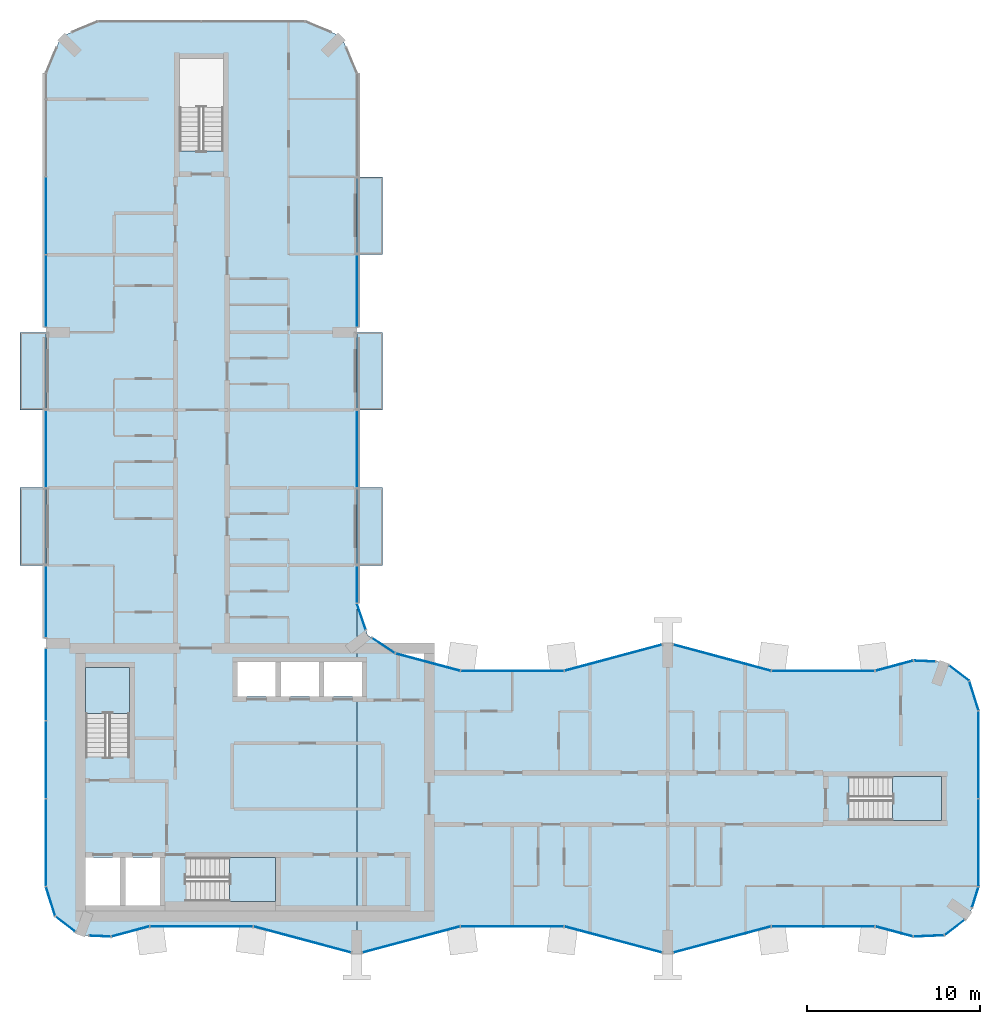
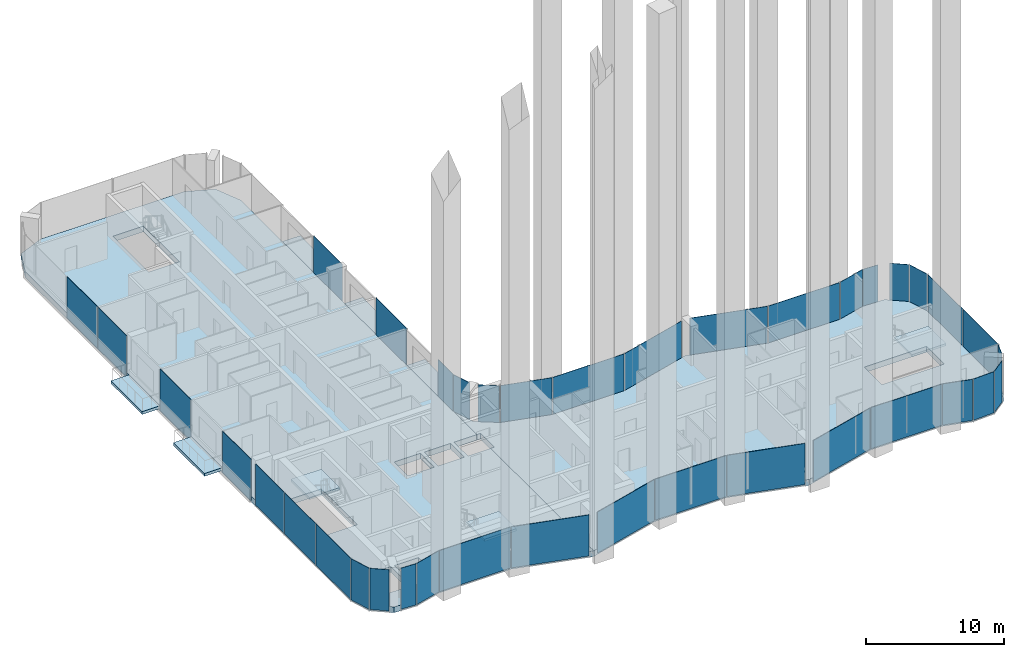
# One storey, part 8 of 18: 38 plates, 10 slabs, 37 elements without a shape of their own.
"""IFC4 building model written with IfcOpenShell, lengths in metres."""

from ifc_helpers import new_model, si_unit, direction, frame, origin, origin_2d, place, context, subcontext, project, spatial, polyline, rectangle, outline, extrude, material, layer, layer_set, type_object, element, aggregate, save


model = new_model("IFC4")

# Units and contexts
model_context = context("Model", 3, precision=1e-05, world=origin(), true_north=direction((0.0, 1.0)))
body_context = subcontext(model_context, "Body", "Model", "MODEL_VIEW")
ifc_project = project(units=[si_unit("LENGTHUNIT", "METRE"), si_unit("AREAUNIT", "SQUARE_METRE"), si_unit("VOLUMEUNIT", "CUBIC_METRE"), si_unit("PLANEANGLEUNIT", "RADIAN"), si_unit("MASSUNIT", "GRAM", prefix="KILO")], contexts=[model_context])

# Site, building, storey
site_placement = place(None, origin())
site = spatial("IfcSite", under=ifc_project, at=site_placement, CompositionType="ELEMENT")
building_placement = place(site_placement, origin())
building = spatial("IfcBuilding", under=site, at=building_placement, Name="Plateau Cross Towers", CompositionType="ELEMENT")
storey_placement = place(building_placement, frame((0.0, 0.0, 139.39990234375)))
storey = spatial("IfcBuildingStorey", under=building, at=storey_placement, Name="L35", CompositionType="ELEMENT", Elevation=139.39990234375)

# Slabs
ifc_material_1 = material(Name="Concrete C40/50", Category="concrete")
ifc_layer_1 = layer(ifc_material_1, 0.25)
ifc_layer_set_1 = layer_set([ifc_layer_1], Name="Concrete C40/50")
slab_type_1 = type_object("IfcSlabType", Name="Balcony slab 250", PredefinedType="FLOOR", material=ifc_layer_set_1)
slab_1_placement = place(storey_placement, frame((0.0, 0.0, -0.25)))
element("IfcSlab", 1, at=slab_1_placement, inside=storey, type_object=slab_type_1, Name="Balcony slab A-BAL-L35-01", PredefinedType="FLOOR", context=body_context, shape_type="SweptSolid", body=[
    extrude(outline(polyline([(0.0, 22.5), (0.0, 27.0), (-1.5, 27.0), (-1.5, 22.5), (0.0, 22.5)])), origin(), (0.0, 0.0, 1.0), 0.25),
])
slab_2_placement = place(storey_placement, frame((0.0, 0.0, -0.25)))
element("IfcSlab", 2, at=slab_2_placement, inside=storey, type_object=slab_type_1, Name="Balcony slab A-BAL-L35-02", PredefinedType="FLOOR", context=body_context, shape_type="SweptSolid", body=[
    extrude(outline(polyline([(0.0, 31.5), (0.0, 36.0), (-1.5, 36.0), (-1.5, 31.5), (0.0, 31.5)])), origin(), (0.0, 0.0, 1.0), 0.25),
])
slab_3_placement = place(storey_placement, frame((0.0, 0.0, -0.25)))
element("IfcSlab", 3, at=slab_3_placement, inside=storey, type_object=slab_type_1, Name="Balcony slab A-BAL-L35-03", PredefinedType="FLOOR", context=body_context, shape_type="SweptSolid", body=[
    extrude(outline(polyline([(19.5, 22.5), (19.5, 27.0), (18.0, 27.0), (18.0, 22.5), (19.5, 22.5)])), origin(), (0.0, 0.0, 1.0), 0.25),
])
slab_4_placement = place(storey_placement, frame((0.0, 0.0, -0.25)))
element("IfcSlab", 4, at=slab_4_placement, inside=storey, type_object=slab_type_1, Name="Balcony slab A-BAL-L35-04", PredefinedType="FLOOR", context=body_context, shape_type="SweptSolid", body=[
    extrude(outline(polyline([(19.5, 31.5), (19.5, 36.0), (18.0, 36.0), (18.0, 31.5), (19.5, 31.5)])), origin(), (0.0, 0.0, 1.0), 0.25),
])
slab_5_placement = place(storey_placement, frame((0.0, 0.0, -0.25)))
element("IfcSlab", 5, at=slab_5_placement, inside=storey, type_object=slab_type_1, Name="Balcony slab A-BAL-L35-05", PredefinedType="FLOOR", context=body_context, shape_type="SweptSolid", body=[
    extrude(outline(polyline([(19.5, 40.5), (19.5, 45.0), (18.0, 45.0), (18.0, 40.5), (19.5, 40.5)])), origin(), (0.0, 0.0, 1.0), 0.25),
])

# Curtain wall, plate
ifc_material_2 = material(Name="Dark low-iron glass", Category="glass")
ifc_layer_2 = layer(ifc_material_2, 0.239990234375)
ifc_layer_set_2 = layer_set([ifc_layer_2], Name="Dark low-iron glass")
curtain_wall_type_1 = type_object("IfcCurtainWallType", Name="Curtain wall flush unitised CW-B", PredefinedType="NOTDEFINED", material=ifc_layer_set_2)
curtain_wall_1_placement = place(storey_placement, origin())
curtain_wall_1 = element("IfcCurtainWall", 6, at=curtain_wall_1_placement, inside=storey, type_object=curtain_wall_type_1, Name="ENV/A/L35/A502_10", PredefinedType="NOTDEFINED")
ifc_layer_3 = layer(ifc_material_2, 0.031982421875)
ifc_layer_set_3 = layer_set([ifc_layer_3], Name="Dark low-iron glass")
plate_type_1 = type_object("IfcPlateType", Name="Glass panel 32 flush unitised", PredefinedType="CURTAIN_PANEL", material=ifc_layer_set_3)
plate_1_placement = place(storey_placement, frame((51.125, 1.05078125, -0.3798828125), z_axis=(0.0, 0.0, 1.0), x_axis=(0.999043701491, 0.043722791671, 0.0)))
plate_1 = element("IfcPlate", 7, at=plate_1_placement, type_object=plate_type_1, Name="CW-B panel 1", PredefinedType="CURTAIN_PANEL", context=body_context, shape_type="SweptSolid", body=[
    extrude(rectangle(XDim=1.744140625, YDim=0.031982421875, at=origin_2d()), origin(), (0.0, 0.0, 1.0), 3.6298828125),
])
aggregate(curtain_wall_1, [plate_1])

curtain_wall_2_placement = place(storey_placement, origin())
curtain_wall_2 = element("IfcCurtainWall", 8, at=curtain_wall_2_placement, inside=storey, type_object=curtain_wall_type_1, Name="ENV/A/L35/A520_11", PredefinedType="NOTDEFINED")
plate_2_placement = place(storey_placement, frame((52.60986328125, 1.5380859375, -0.3798828125), z_axis=(0.0, 0.0, 1.0), x_axis=(0.793315514529, 0.608810721331, 0.0)))
plate_2 = element("IfcPlate", 9, at=plate_2_placement, type_object=plate_type_1, Name="CW-B panel 1", PredefinedType="CURTAIN_PANEL", context=body_context, shape_type="SweptSolid", body=[
    extrude(rectangle(XDim=1.41162109375, YDim=0.031982421875, at=origin_2d()), origin(), (0.0, 0.0, 1.0), 3.6298828125),
])
aggregate(curtain_wall_2, [plate_2])

curtain_wall_3_placement = place(storey_placement, origin())
curtain_wall_3 = element("IfcCurtainWall", 10, at=curtain_wall_3_placement, inside=storey, type_object=curtain_wall_type_1, Name="ENV/A/L35/A536_27", PredefinedType="NOTDEFINED")
plate_3_placement = place(storey_placement, frame((53.805419921875, 3.292236328125, -0.3798828125), z_axis=(0.0, 0.0, 1.0), x_axis=(0.300686174994, 0.95372313811, 0.0)))
plate_3 = element("IfcPlate", 11, at=plate_3_placement, type_object=plate_type_1, Name="CW-B panel 1", PredefinedType="CURTAIN_PANEL", context=body_context, shape_type="SweptSolid", body=[
    extrude(rectangle(XDim=1.233642578125, YDim=0.031982421875, at=origin_2d()), origin(), (0.0, 0.0, 1.0), 3.6298828125),
])
aggregate(curtain_wall_3, [plate_3])

# Curtain wall, plates
curtain_wall_4_placement = place(storey_placement, origin())
curtain_wall_4 = element("IfcCurtainWall", 12, at=curtain_wall_4_placement, inside=storey, type_object=curtain_wall_type_1, Name="ENV/A/L35/A540_39", PredefinedType="NOTDEFINED")
plate_4_placement = place(storey_placement, frame((54.0, 6.45458984375, -0.3798828125), z_axis=(0.0, 0.0, 1.0), x_axis=(0.0, 1.0, 0.0)))
plate_4 = element("IfcPlate", 13, at=plate_4_placement, type_object=plate_type_1, Name="CW-B panel 1", PredefinedType="CURTAIN_PANEL", context=body_context, shape_type="SweptSolid", body=[
    extrude(rectangle(XDim=5.03076171875, YDim=0.031982421875, at=origin_2d()), origin(), (0.0, 0.0, 1.0), 3.6298828125),
])
plate_5_placement = place(storey_placement, frame((54.0, 11.54541015625, -0.3798828125), z_axis=(0.0, 0.0, 1.0), x_axis=(0.0, 1.0, 0.0)))
plate_5 = element("IfcPlate", 14, at=plate_5_placement, type_object=plate_type_1, Name="CW-B panel 2", PredefinedType="CURTAIN_PANEL", context=body_context, shape_type="SweptSolid", body=[
    extrude(rectangle(XDim=5.03076171875, YDim=0.031982421875, at=origin_2d()), origin(), (0.0, 0.0, 1.0), 3.6298828125),
])
aggregate(curtain_wall_4, [plate_4, plate_5])

# Curtain wall, plate
curtain_wall_5_placement = place(storey_placement, origin())
curtain_wall_5 = element("IfcCurtainWall", 15, at=curtain_wall_5_placement, inside=storey, type_object=curtain_wall_type_1, Name="ENV/A/L35/A540_141", PredefinedType="NOTDEFINED")
plate_6_placement = place(storey_placement, frame((53.728759765625, 14.951171875, -0.3798828125), z_axis=(0.0, 0.0, 1.0), x_axis=(-0.300686174994, 0.95372313811, 0.0)))
plate_6 = element("IfcPlate", 16, at=plate_6_placement, type_object=plate_type_1, Name="CW-B panel 1", PredefinedType="CURTAIN_PANEL", context=body_context, shape_type="SweptSolid", body=[
    extrude(rectangle(XDim=1.744140625, YDim=0.031982421875, at=origin_2d()), origin(), (0.0, 0.0, 1.0), 3.6298828125),
])
aggregate(curtain_wall_5, [plate_6])

curtain_wall_6_placement = place(storey_placement, origin())
curtain_wall_6 = element("IfcCurtainWall", 17, at=curtain_wall_6_placement, inside=storey, type_object=curtain_wall_type_1, Name="ENV/A/L35/A535_158", PredefinedType="NOTDEFINED")
plate_7_placement = place(storey_placement, frame((52.873779296875, 16.25927734375, -0.3798828125), z_axis=(0.0, 0.0, 1.0), x_axis=(-0.793315514529, 0.608810721331, 0.0)))
plate_7 = element("IfcPlate", 18, at=plate_7_placement, type_object=plate_type_1, Name="CW-B panel 1", PredefinedType="CURTAIN_PANEL", context=body_context, shape_type="SweptSolid", body=[
    extrude(rectangle(XDim=1.41162109375, YDim=0.031982421875, at=origin_2d()), origin(), (0.0, 0.0, 1.0), 3.6298828125),
])
aggregate(curtain_wall_6, [plate_7])

curtain_wall_7_placement = place(storey_placement, origin())
curtain_wall_7 = element("IfcCurtainWall", 19, at=curtain_wall_7_placement, inside=storey, type_object=curtain_wall_type_1, Name="ENV/A/L35/A515_169", PredefinedType="NOTDEFINED")
plate_8_placement = place(storey_placement, frame((50.8701171875, 16.96044921875, -0.3798828125), z_axis=(0.0, 0.0, 1.0), x_axis=(-0.999043701491, 0.043722791671, 0.0)))
plate_8 = element("IfcPlate", 20, at=plate_8_placement, type_object=plate_type_1, Name="CW-B panel 1", PredefinedType="CURTAIN_PANEL", context=body_context, shape_type="SweptSolid", body=[
    extrude(rectangle(XDim=1.233642578125, YDim=0.031982421875, at=origin_2d()), origin(), (0.0, 0.0, 1.0), 3.6298828125),
])
aggregate(curtain_wall_7, [plate_8])

curtain_wall_8_placement = place(storey_placement, origin())
curtain_wall_8 = element("IfcCurtainWall", 21, at=curtain_wall_8_placement, inside=storey, type_object=curtain_wall_type_1, Name="ENV/A/L35/A202_174", PredefinedType="NOTDEFINED")
plate_9_placement = place(storey_placement, frame((19.546630859375, 17.856689453125, -0.3798828125), z_axis=(0.0, 0.0, 1.0), x_axis=(-0.831521253329, 0.555492938984, 0.0)))
plate_9 = element("IfcPlate", 22, at=plate_9_placement, type_object=plate_type_1, Name="CW-B panel 1", PredefinedType="CURTAIN_PANEL", context=body_context, shape_type="SweptSolid", body=[
    extrude(rectangle(XDim=1.56884765625, YDim=0.031982421875, at=origin_2d()), origin(), (0.0, 0.0, 1.0), 3.6298828125),
])
aggregate(curtain_wall_8, [plate_9])

curtain_wall_9_placement = place(storey_placement, origin())
curtain_wall_9 = element("IfcCurtainWall", 23, at=curtain_wall_9_placement, inside=storey, type_object=curtain_wall_type_1, Name="ENV/A/L35/A185_188", PredefinedType="NOTDEFINED")
plate_10_placement = place(storey_placement, frame((18.26171875, 19.531005859375, -0.3798828125), z_axis=(0.0, 0.0, 1.0), x_axis=(-0.321469161574, 0.94692004845, 0.0)))
plate_10 = element("IfcPlate", 24, at=plate_10_placement, type_object=plate_type_1, Name="CW-B panel 1", PredefinedType="CURTAIN_PANEL", context=body_context, shape_type="SweptSolid", body=[
    extrude(rectangle(XDim=1.56884765625, YDim=0.031982421875, at=origin_2d()), origin(), (0.0, 0.0, 1.0), 3.6298828125),
])
aggregate(curtain_wall_9, [plate_10])

curtain_wall_10_placement = place(storey_placement, origin())
curtain_wall_10 = element("IfcCurtainWall", 25, at=curtain_wall_10_placement, inside=storey, type_object=curtain_wall_type_1, Name="ENV/A/L35/A180_203", PredefinedType="NOTDEFINED")
plate_11_placement = place(storey_placement, frame((18.0, 21.396240234375, -0.3798828125), z_axis=(0.0, 0.0, 1.0), x_axis=(0.0, 1.0, 0.0)))
plate_11 = element("IfcPlate", 26, at=plate_11_placement, type_object=plate_type_1, Name="CW-B panel 1", PredefinedType="CURTAIN_PANEL", context=body_context, shape_type="SweptSolid", body=[
    extrude(rectangle(XDim=2.127685546875, YDim=0.031982421875, at=origin_2d()), origin(), (0.0, 0.0, 1.0), 3.6298828125),
])
aggregate(curtain_wall_10, [plate_11])

curtain_wall_11_placement = place(storey_placement, origin())
curtain_wall_11 = element("IfcCurtainWall", 27, at=curtain_wall_11_placement, inside=storey, type_object=curtain_wall_type_1, Name="ENV/A/L35/A180_270", PredefinedType="NOTDEFINED")
plate_12_placement = place(storey_placement, frame((18.0, 29.25, -0.3798828125), z_axis=(0.0, 0.0, 1.0), x_axis=(0.0, 1.0, 0.0)))
plate_12 = element("IfcPlate", 28, at=plate_12_placement, type_object=plate_type_1, Name="CW-B panel 1", PredefinedType="CURTAIN_PANEL", context=body_context, shape_type="SweptSolid", body=[
    extrude(rectangle(XDim=4.419921875, YDim=0.031982421875, at=origin_2d()), origin(), (0.0, 0.0, 1.0), 3.6298828125),
])
aggregate(curtain_wall_11, [plate_12])

curtain_wall_12_placement = place(storey_placement, origin())
curtain_wall_12 = element("IfcCurtainWall", 29, at=curtain_wall_12_placement, inside=storey, type_object=curtain_wall_type_1, Name="ENV/A/L35/A180_363", PredefinedType="NOTDEFINED")
plate_13_placement = place(storey_placement, frame((18.0, 38.39501953125, -0.3798828125), z_axis=(0.0, 0.0, 1.0), x_axis=(0.0, 1.0, 0.0)))
plate_13 = element("IfcPlate", 30, at=plate_13_placement, type_object=plate_type_1, Name="CW-B panel 1", PredefinedType="CURTAIN_PANEL", context=body_context, shape_type="SweptSolid", body=[
    extrude(rectangle(XDim=4.1298828125, YDim=0.031982421875, at=origin_2d()), origin(), (0.0, 0.0, 1.0), 3.6298828125),
])
aggregate(curtain_wall_12, [plate_13])

# Curtain wall, plates
curtain_wall_13_placement = place(storey_placement, origin())
curtain_wall_13 = element("IfcCurtainWall", 31, at=curtain_wall_13_placement, inside=storey, type_object=curtain_wall_type_1, Name="ENV/A/L35/A0_510", PredefinedType="NOTDEFINED")
plate_14_placement = place(storey_placement, frame((0.0, 42.75, -0.3798828125), z_axis=(0.0, 0.0, 1.0), x_axis=(0.0, -1.0, 0.0)))
plate_14 = element("IfcPlate", 32, at=plate_14_placement, type_object=plate_type_1, Name="CW-B panel 3", PredefinedType="CURTAIN_PANEL", context=body_context, shape_type="SweptSolid", body=[
    extrude(rectangle(XDim=4.43994140625, YDim=0.031982421875, at=origin_2d()), origin(), (0.0, 0.0, 1.0), 3.6298828125),
])
plate_15_placement = place(storey_placement, frame((0.0, 38.39990234375, -0.3798828125), z_axis=(0.0, 0.0, 1.0), x_axis=(0.0, -1.0, 0.0)))
plate_15 = element("IfcPlate", 33, at=plate_15_placement, type_object=plate_type_1, Name="CW-B panel 4", PredefinedType="CURTAIN_PANEL", context=body_context, shape_type="SweptSolid", body=[
    extrude(rectangle(XDim=4.139892578125, YDim=0.031982421875, at=origin_2d()), origin(), (0.0, 0.0, 1.0), 3.6298828125),
])
aggregate(curtain_wall_13, [plate_14, plate_15])

# Curtain wall, plate
curtain_wall_14_placement = place(storey_placement, origin())
curtain_wall_14 = element("IfcCurtainWall", 34, at=curtain_wall_14_placement, inside=storey, type_object=curtain_wall_type_1, Name="ENV/A/L35/A0_315", PredefinedType="NOTDEFINED")
plate_16_placement = place(storey_placement, frame((0.0, 29.25, -0.3798828125), z_axis=(0.0, 0.0, 1.0), x_axis=(0.0, -1.0, 0.0)))
plate_16 = element("IfcPlate", 35, at=plate_16_placement, type_object=plate_type_1, Name="CW-B panel 1", PredefinedType="CURTAIN_PANEL", context=body_context, shape_type="SweptSolid", body=[
    extrude(rectangle(XDim=4.419921875, YDim=0.031982421875, at=origin_2d()), origin(), (0.0, 0.0, 1.0), 3.6298828125),
])
aggregate(curtain_wall_14, [plate_16])

curtain_wall_15_placement = place(storey_placement, origin())
curtain_wall_15 = element("IfcCurtainWall", 36, at=curtain_wall_15_placement, inside=storey, type_object=curtain_wall_type_1, Name="ENV/A/L35/A0_225", PredefinedType="NOTDEFINED")
plate_17_placement = place(storey_placement, frame((0.0, 20.39501953125, -0.3798828125), z_axis=(0.0, 0.0, 1.0), x_axis=(0.0, -1.0, 0.0)))
plate_17 = element("IfcPlate", 37, at=plate_17_placement, type_object=plate_type_1, Name="CW-B panel 1", PredefinedType="CURTAIN_PANEL", context=body_context, shape_type="SweptSolid", body=[
    extrude(rectangle(XDim=4.1298828125, YDim=0.031982421875, at=origin_2d()), origin(), (0.0, 0.0, 1.0), 3.6298828125),
])
aggregate(curtain_wall_15, [plate_17])

# Curtain wall, plates
curtain_wall_16_placement = place(storey_placement, origin())
curtain_wall_16 = element("IfcCurtainWall", 38, at=curtain_wall_16_placement, inside=storey, type_object=curtain_wall_type_1, Name="ENV/A/L35/A0_177", PredefinedType="NOTDEFINED")
plate_18_placement = place(storey_placement, frame((0.0, 15.60009765625, -0.3798828125), z_axis=(0.0, 0.0, 1.0), x_axis=(0.0, -1.0, 0.0)))
plate_18 = element("IfcPlate", 39, at=plate_18_placement, type_object=plate_type_1, Name="CW-B panel 1", PredefinedType="CURTAIN_PANEL", context=body_context, shape_type="SweptSolid", body=[
    extrude(rectangle(XDim=4.139892578125, YDim=0.031982421875, at=origin_2d()), origin(), (0.0, 0.0, 1.0), 3.6298828125),
])
plate_19_placement = place(storey_placement, frame((0.0, 11.25, -0.3798828125), z_axis=(0.0, 0.0, 1.0), x_axis=(0.0, -1.0, 0.0)))
plate_19 = element("IfcPlate", 40, at=plate_19_placement, type_object=plate_type_1, Name="CW-B panel 2", PredefinedType="CURTAIN_PANEL", context=body_context, shape_type="SweptSolid", body=[
    extrude(rectangle(XDim=4.43994140625, YDim=0.031982421875, at=origin_2d()), origin(), (0.0, 0.0, 1.0), 3.6298828125),
])
plate_20_placement = place(storey_placement, frame((0.0, 6.45458984375, -0.3798828125), z_axis=(0.0, 0.0, 1.0), x_axis=(0.0, -1.0, 0.0)))
plate_20 = element("IfcPlate", 41, at=plate_20_placement, type_object=plate_type_1, Name="CW-B panel 3", PredefinedType="CURTAIN_PANEL", context=body_context, shape_type="SweptSolid", body=[
    extrude(rectangle(XDim=5.03076171875, YDim=0.031982421875, at=origin_2d()), origin(), (0.0, 0.0, 1.0), 3.6298828125),
])
aggregate(curtain_wall_16, [plate_18, plate_19, plate_20])

# Curtain wall, plate
curtain_wall_17_placement = place(storey_placement, origin())
curtain_wall_17 = element("IfcCurtainWall", 42, at=curtain_wall_17_placement, inside=storey, type_object=curtain_wall_type_1, Name="ENV/A/L35/A0_39", PredefinedType="NOTDEFINED")
plate_21_placement = place(storey_placement, frame((0.271240234375, 3.048828125, -0.3798828125), z_axis=(0.0, 0.0, 1.0), x_axis=(0.300686174994, -0.95372313811, 0.0)))
plate_21 = element("IfcPlate", 43, at=plate_21_placement, type_object=plate_type_1, Name="CW-B panel 1", PredefinedType="CURTAIN_PANEL", context=body_context, shape_type="SweptSolid", body=[
    extrude(rectangle(XDim=1.744140625, YDim=0.031982421875, at=origin_2d()), origin(), (0.0, 0.0, 1.0), 3.6298828125),
])
aggregate(curtain_wall_17, [plate_21])

curtain_wall_18_placement = place(storey_placement, origin())
curtain_wall_18 = element("IfcCurtainWall", 44, at=curtain_wall_18_placement, inside=storey, type_object=curtain_wall_type_1, Name="ENV/A/L35/A5_22", PredefinedType="NOTDEFINED")
plate_22_placement = place(storey_placement, frame((1.126220703125, 1.74072265625, -0.3798828125), z_axis=(0.0, 0.0, 1.0), x_axis=(0.793315514529, -0.608810721331, 0.0)))
plate_22 = element("IfcPlate", 45, at=plate_22_placement, type_object=plate_type_1, Name="CW-B panel 1", PredefinedType="CURTAIN_PANEL", context=body_context, shape_type="SweptSolid", body=[
    extrude(rectangle(XDim=1.41162109375, YDim=0.031982421875, at=origin_2d()), origin(), (0.0, 0.0, 1.0), 3.6298828125),
])
aggregate(curtain_wall_18, [plate_22])

curtain_wall_19_placement = place(storey_placement, origin())
curtain_wall_19 = element("IfcCurtainWall", 46, at=curtain_wall_19_placement, inside=storey, type_object=curtain_wall_type_1, Name="ENV/A/L35/A25_11", PredefinedType="NOTDEFINED")
plate_23_placement = place(storey_placement, frame((3.1298828125, 1.03955078125, -0.3798828125), z_axis=(0.0, 0.0, 1.0), x_axis=(0.999043701491, -0.043722791671, 0.0)))
plate_23 = element("IfcPlate", 47, at=plate_23_placement, type_object=plate_type_1, Name="CW-B panel 1", PredefinedType="CURTAIN_PANEL", context=body_context, shape_type="SweptSolid", body=[
    extrude(rectangle(XDim=1.233642578125, YDim=0.031982421875, at=origin_2d()), origin(), (0.0, 0.0, 1.0), 3.6298828125),
])
aggregate(curtain_wall_19, [plate_23])

ifc_layer_4 = layer(ifc_material_2, 0.260009765625)
ifc_layer_set_4 = layer_set([ifc_layer_4], Name="Dark low-iron glass")
curtain_wall_type_2 = type_object("IfcCurtainWallType", Name="Curtain wall fluted unitised CW-A", PredefinedType="NOTDEFINED", material=ifc_layer_set_4)
curtain_wall_20_placement = place(storey_placement, origin())
curtain_wall_20 = element("IfcCurtainWall", 48, at=curtain_wall_20_placement, inside=storey, type_object=curtain_wall_type_2, Name="ENV/A/L35/A38_10", PredefinedType="NOTDEFINED")
ifc_layer_5 = layer(ifc_material_2, 0.035888671875)
ifc_layer_set_5 = layer_set([ifc_layer_5], Name="Dark low-iron glass")
plate_type_2 = type_object("IfcPlateType", Name="Glass panel 36 fluted unitised", PredefinedType="CURTAIN_PANEL", material=ifc_layer_set_5)
plate_24_placement = place(storey_placement, frame((4.887939453125, 1.30908203125, -0.3798828125), z_axis=(0.0, 0.0, 1.0), x_axis=(0.965957962328, 0.258699081978, 0.0)))
plate_24 = element("IfcPlate", 49, at=plate_24_placement, type_object=plate_type_2, Name="CW-A panel 1", PredefinedType="CURTAIN_PANEL", context=body_context, shape_type="SweptSolid", body=[
    extrude(rectangle(XDim=2.2421875, YDim=0.035888671875, at=origin_2d()), origin(), (0.0, 0.0, 1.0), 3.6298828125),
])
aggregate(curtain_wall_20, [plate_24])

curtain_wall_21_placement = place(storey_placement, origin())
curtain_wall_21 = element("IfcCurtainWall", 50, at=curtain_wall_21_placement, inside=storey, type_object=curtain_wall_type_2, Name="ENV/A/L35/A60_16", PredefinedType="NOTDEFINED")
plate_25_placement = place(storey_placement, frame((9.0, 1.60693359375, -0.3798828125), z_axis=(0.0, 0.0, 1.0), x_axis=(1.0, 0.0, 0.0)))
plate_25 = element("IfcPlate", 51, at=plate_25_placement, type_object=plate_type_2, Name="CW-A panel 1", PredefinedType="CURTAIN_PANEL", context=body_context, shape_type="SweptSolid", body=[
    extrude(rectangle(XDim=5.93994140625, YDim=0.035888671875, at=origin_2d()), origin(), (0.0, 0.0, 1.0), 3.6298828125),
])
aggregate(curtain_wall_21, [plate_25])

curtain_wall_22_placement = place(storey_placement, origin())
curtain_wall_22 = element("IfcCurtainWall", 52, at=curtain_wall_22_placement, inside=storey, type_object=curtain_wall_type_2, Name="ENV/A/L35/A120_16", PredefinedType="NOTDEFINED")
plate_26_placement = place(storey_placement, frame((14.841064453125, 0.845947265625, -0.3798828125), z_axis=(0.0, 0.0, 1.0), x_axis=(0.965957983404, -0.258699003279, 0.0)))
plate_26 = element("IfcPlate", 53, at=plate_26_placement, type_object=plate_type_2, Name="CW-A panel 1", PredefinedType="CURTAIN_PANEL", context=body_context, shape_type="SweptSolid", body=[
    extrude(rectangle(XDim=5.822265625, YDim=0.035888671875, at=origin_2d()), origin(), (0.0, 0.0, 1.0), 3.6298828125),
])
aggregate(curtain_wall_22, [plate_26])

curtain_wall_23_placement = place(storey_placement, origin())
curtain_wall_23 = element("IfcCurtainWall", 54, at=curtain_wall_23_placement, inside=storey, type_object=curtain_wall_type_2, Name="ENV/A/L35/A183_1", PredefinedType="NOTDEFINED")
plate_27_placement = place(storey_placement, frame((21.158935546875, 0.845947265625, -0.3798828125), z_axis=(0.0, 0.0, 1.0), x_axis=(0.965957983404, 0.258699003279, 0.0)))
plate_27 = element("IfcPlate", 55, at=plate_27_placement, type_object=plate_type_2, Name="CW-A panel 1", PredefinedType="CURTAIN_PANEL", context=body_context, shape_type="SweptSolid", body=[
    extrude(rectangle(XDim=5.822265625, YDim=0.035888671875, at=origin_2d()), origin(), (0.0, 0.0, 1.0), 3.6298828125),
])
aggregate(curtain_wall_23, [plate_27])

curtain_wall_24_placement = place(storey_placement, origin())
curtain_wall_24 = element("IfcCurtainWall", 56, at=curtain_wall_24_placement, inside=storey, type_object=curtain_wall_type_2, Name="ENV/A/L35/A240_16", PredefinedType="NOTDEFINED")
plate_28_placement = place(storey_placement, frame((27.0, 1.60693359375, -0.3798828125), z_axis=(0.0, 0.0, 1.0), x_axis=(1.0, 0.0, 0.0)))
plate_28 = element("IfcPlate", 57, at=plate_28_placement, type_object=plate_type_2, Name="CW-A panel 1", PredefinedType="CURTAIN_PANEL", context=body_context, shape_type="SweptSolid", body=[
    extrude(rectangle(XDim=5.93994140625, YDim=0.035888671875, at=origin_2d()), origin(), (0.0, 0.0, 1.0), 3.6298828125),
])
aggregate(curtain_wall_24, [plate_28])

curtain_wall_25_placement = place(storey_placement, origin())
curtain_wall_25 = element("IfcCurtainWall", 58, at=curtain_wall_25_placement, inside=storey, type_object=curtain_wall_type_2, Name="ENV/A/L35/A300_16", PredefinedType="NOTDEFINED")
plate_29_placement = place(storey_placement, frame((32.841064453125, 0.845947265625, -0.3798828125), z_axis=(0.0, 0.0, 1.0), x_axis=(0.965957983404, -0.258699003279, 0.0)))
plate_29 = element("IfcPlate", 59, at=plate_29_placement, type_object=plate_type_2, Name="CW-A panel 1", PredefinedType="CURTAIN_PANEL", context=body_context, shape_type="SweptSolid", body=[
    extrude(rectangle(XDim=5.822265625, YDim=0.035888671875, at=origin_2d()), origin(), (0.0, 0.0, 1.0), 3.6298828125),
])
aggregate(curtain_wall_25, [plate_29])

curtain_wall_26_placement = place(storey_placement, origin())
curtain_wall_26 = element("IfcCurtainWall", 60, at=curtain_wall_26_placement, inside=storey, type_object=curtain_wall_type_2, Name="ENV/A/L35/A363_1", PredefinedType="NOTDEFINED")
plate_30_placement = place(storey_placement, frame((39.158935546875, 0.845947265625, -0.3798828125), z_axis=(0.0, 0.0, 1.0), x_axis=(0.965957983404, 0.258699003279, 0.0)))
plate_30 = element("IfcPlate", 61, at=plate_30_placement, type_object=plate_type_2, Name="CW-A panel 1", PredefinedType="CURTAIN_PANEL", context=body_context, shape_type="SweptSolid", body=[
    extrude(rectangle(XDim=5.822265625, YDim=0.035888671875, at=origin_2d()), origin(), (0.0, 0.0, 1.0), 3.6298828125),
])
aggregate(curtain_wall_26, [plate_30])

curtain_wall_27_placement = place(storey_placement, origin())
curtain_wall_27 = element("IfcCurtainWall", 62, at=curtain_wall_27_placement, inside=storey, type_object=curtain_wall_type_2, Name="ENV/A/L35/A420_16", PredefinedType="NOTDEFINED")
plate_31_placement = place(storey_placement, frame((45.0, 1.60693359375, -0.3798828125), z_axis=(0.0, 0.0, 1.0), x_axis=(1.0, 0.0, 0.0)))
plate_31 = element("IfcPlate", 63, at=plate_31_placement, type_object=plate_type_2, Name="CW-A panel 1", PredefinedType="CURTAIN_PANEL", context=body_context, shape_type="SweptSolid", body=[
    extrude(rectangle(XDim=5.93994140625, YDim=0.035888671875, at=origin_2d()), origin(), (0.0, 0.0, 1.0), 3.6298828125),
])
aggregate(curtain_wall_27, [plate_31])

curtain_wall_28_placement = place(storey_placement, origin())
curtain_wall_28 = element("IfcCurtainWall", 64, at=curtain_wall_28_placement, inside=storey, type_object=curtain_wall_type_2, Name="ENV/A/L35/A480_16", PredefinedType="NOTDEFINED")
plate_32_placement = place(storey_placement, frame((49.112060546875, 1.30908203125, -0.3798828125), z_axis=(0.0, 0.0, 1.0), x_axis=(0.965957962328, -0.258699081978, 0.0)))
plate_32 = element("IfcPlate", 65, at=plate_32_placement, type_object=plate_type_2, Name="CW-A panel 1", PredefinedType="CURTAIN_PANEL", context=body_context, shape_type="SweptSolid", body=[
    extrude(rectangle(XDim=2.2421875, YDim=0.035888671875, at=origin_2d()), origin(), (0.0, 0.0, 1.0), 3.6298828125),
])
aggregate(curtain_wall_28, [plate_32])

curtain_wall_29_placement = place(storey_placement, origin())
curtain_wall_29 = element("IfcCurtainWall", 66, at=curtain_wall_29_placement, inside=storey, type_object=curtain_wall_type_2, Name="ENV/A/L35/A502_170", PredefinedType="NOTDEFINED")
plate_33_placement = place(storey_placement, frame((49.112060546875, 16.69091796875, -0.3798828125), z_axis=(0.0, 0.0, 1.0), x_axis=(-0.965957962328, -0.258699081978, 0.0)))
plate_33 = element("IfcPlate", 67, at=plate_33_placement, type_object=plate_type_2, Name="CW-A panel 1", PredefinedType="CURTAIN_PANEL", context=body_context, shape_type="SweptSolid", body=[
    extrude(rectangle(XDim=2.2421875, YDim=0.035888671875, at=origin_2d()), origin(), (0.0, 0.0, 1.0), 3.6298828125),
])
aggregate(curtain_wall_29, [plate_33])

curtain_wall_30_placement = place(storey_placement, origin())
curtain_wall_30 = element("IfcCurtainWall", 68, at=curtain_wall_30_placement, inside=storey, type_object=curtain_wall_type_2, Name="ENV/A/L35/A480_164", PredefinedType="NOTDEFINED")
plate_34_placement = place(storey_placement, frame((45.0, 16.39306640625, -0.3798828125), z_axis=(0.0, 0.0, 1.0), x_axis=(-1.0, 0.0, 0.0)))
plate_34 = element("IfcPlate", 69, at=plate_34_placement, type_object=plate_type_2, Name="CW-A panel 1", PredefinedType="CURTAIN_PANEL", context=body_context, shape_type="SweptSolid", body=[
    extrude(rectangle(XDim=5.93994140625, YDim=0.035888671875, at=origin_2d()), origin(), (0.0, 0.0, 1.0), 3.6298828125),
])
aggregate(curtain_wall_30, [plate_34])

curtain_wall_31_placement = place(storey_placement, origin())
curtain_wall_31 = element("IfcCurtainWall", 70, at=curtain_wall_31_placement, inside=storey, type_object=curtain_wall_type_2, Name="ENV/A/L35/A420_164", PredefinedType="NOTDEFINED")
plate_35_placement = place(storey_placement, frame((39.158935546875, 17.154052734375, -0.3798828125), z_axis=(0.0, 0.0, 1.0), x_axis=(-0.965957983404, 0.258699003279, 0.0)))
plate_35 = element("IfcPlate", 71, at=plate_35_placement, type_object=plate_type_2, Name="CW-A panel 1", PredefinedType="CURTAIN_PANEL", context=body_context, shape_type="SweptSolid", body=[
    extrude(rectangle(XDim=5.822265625, YDim=0.035888671875, at=origin_2d()), origin(), (0.0, 0.0, 1.0), 3.6298828125),
])
aggregate(curtain_wall_31, [plate_35])

curtain_wall_32_placement = place(storey_placement, origin())
curtain_wall_32 = element("IfcCurtainWall", 72, at=curtain_wall_32_placement, inside=storey, type_object=curtain_wall_type_2, Name="ENV/A/L35/A357_179", PredefinedType="NOTDEFINED")
plate_36_placement = place(storey_placement, frame((32.841064453125, 17.154052734375, -0.3798828125), z_axis=(0.0, 0.0, 1.0), x_axis=(-0.965957983404, -0.258699003279, 0.0)))
plate_36 = element("IfcPlate", 73, at=plate_36_placement, type_object=plate_type_2, Name="CW-A panel 1", PredefinedType="CURTAIN_PANEL", context=body_context, shape_type="SweptSolid", body=[
    extrude(rectangle(XDim=5.822265625, YDim=0.035888671875, at=origin_2d()), origin(), (0.0, 0.0, 1.0), 3.6298828125),
])
aggregate(curtain_wall_32, [plate_36])

curtain_wall_33_placement = place(storey_placement, origin())
curtain_wall_33 = element("IfcCurtainWall", 74, at=curtain_wall_33_placement, inside=storey, type_object=curtain_wall_type_2, Name="ENV/A/L35/A300_164", PredefinedType="NOTDEFINED")
plate_37_placement = place(storey_placement, frame((27.0, 16.39306640625, -0.3798828125), z_axis=(0.0, 0.0, 1.0), x_axis=(-1.0, 0.0, 0.0)))
plate_37 = element("IfcPlate", 75, at=plate_37_placement, type_object=plate_type_2, Name="CW-A panel 1", PredefinedType="CURTAIN_PANEL", context=body_context, shape_type="SweptSolid", body=[
    extrude(rectangle(XDim=5.93994140625, YDim=0.035888671875, at=origin_2d()), origin(), (0.0, 0.0, 1.0), 3.6298828125),
])
aggregate(curtain_wall_33, [plate_37])

curtain_wall_34_placement = place(storey_placement, origin())
curtain_wall_34 = element("IfcCurtainWall", 76, at=curtain_wall_34_placement, inside=storey, type_object=curtain_wall_type_2, Name="ENV/A/L35/A240_164", PredefinedType="NOTDEFINED")
plate_38_placement = place(storey_placement, frame((22.112060546875, 16.898681640625, -0.3798828125), z_axis=(0.0, 0.0, 1.0), x_axis=(-0.965957995816, 0.258698956933, 0.0)))
plate_38 = element("IfcPlate", 77, at=plate_38_placement, type_object=plate_type_2, Name="CW-A panel 1", PredefinedType="CURTAIN_PANEL", context=body_context, shape_type="SweptSolid", body=[
    extrude(rectangle(XDim=3.84912109375, YDim=0.035888671875, at=origin_2d()), origin(), (0.0, 0.0, 1.0), 3.6298828125),
])
aggregate(curtain_wall_34, [plate_38])

# Slabs
ifc_layer_6 = layer(ifc_material_1, 0.5)
ifc_layer_set_6 = layer_set([ifc_layer_6], Name="Concrete C40/50")
slab_type_2 = type_object("IfcSlabType", Name="Post-tensioned flat plate slab 500", PredefinedType="FLOOR", material=ifc_layer_set_6)
slab_6_placement = place(storey_placement, frame((0.0, 0.0, -0.5)))
element("IfcSlab", 78, at=slab_6_placement, inside=storey, type_object=slab_type_2, Name="SL-A-L35 1", PredefinedType="FLOOR", context=body_context, shape_type="SweptSolid", body=[
    extrude(outline(polyline([(0.54248046875, 2.1884765625), (0.0, 3.9091796875), (0.0, 51.0), (0.878662109375, 53.121337890625), (3.0, 54.0), (15.0, 54.0), (17.121337890625, 53.121337890625), (18.0, 51.0), (18.0, 20.30224609375), (18.0, 16.89990234375), (16.10009765625, 16.89990234375), (16.10009765625, 14.89990234375), (18.0, 14.89990234375), (18.0, 0.0), (12.0, 1.60693359375), (6.0, 1.60693359375), (3.776123046875, 1.01123046875), (1.9736328125, 1.090087890625), (0.54248046875, 2.1884765625)]), holes=[polyline([(2.300048828125, 5.60009765625), (2.300048828125, 2.800048828125), (4.300048828125, 2.800048828125), (4.300048828125, 5.60009765625), (2.300048828125, 5.60009765625)]), polyline([(4.60009765625, 5.60009765625), (4.60009765625, 2.800048828125), (6.60009765625, 2.800048828125), (6.60009765625, 5.60009765625), (4.60009765625, 5.60009765625)]), polyline([(8.10009765625, 5.60009765625), (8.10009765625, 3.050048828125), (13.300048828125, 3.050048828125), (13.300048828125, 5.60009765625), (8.10009765625, 5.60009765625)]), polyline([(2.300048828125, 11.39990234375), (4.85009765625, 11.39990234375), (4.85009765625, 16.60009765625), (2.300048828125, 16.60009765625), (2.300048828125, 11.39990234375)]), polyline([(11.10009765625, 16.89990234375), (11.10009765625, 14.89990234375), (13.300048828125, 14.89990234375), (13.300048828125, 16.89990234375), (11.10009765625, 16.89990234375)]), polyline([(13.60009765625, 16.89990234375), (13.60009765625, 14.89990234375), (15.800048828125, 14.89990234375), (15.800048828125, 16.89990234375), (13.60009765625, 16.89990234375)]), polyline([(7.72509765625, 51.699951171875), (7.72509765625, 46.5), (10.27490234375, 46.5), (10.27490234375, 51.699951171875), (7.72509765625, 51.699951171875)])]), origin(), (0.0, 0.0, 1.0), 0.5),
])
slab_7_placement = place(storey_placement, frame((0.0, 0.0, -0.5)))
element("IfcSlab", 79, at=slab_7_placement, inside=storey, type_object=slab_type_2, Name="SL-A-L35 2", PredefinedType="FLOOR", context=body_context, shape_type="SweptSolid", body=[
    extrude(outline(polyline([(18.6201171875, 18.475830078125), (20.223876953125, 17.404296875), (24.0, 16.39306640625), (30.0, 16.39306640625), (36.0, 18.0), (42.0, 16.39306640625), (48.0, 16.39306640625), (50.223876953125, 16.98876953125), (52.0263671875, 16.909912109375), (53.45751953125, 15.8115234375), (54.0, 14.0908203125), (54.0, 3.9091796875), (53.45751953125, 2.1884765625), (52.0263671875, 1.090087890625), (50.223876953125, 1.01123046875), (48.0, 1.60693359375), (42.0, 1.60693359375), (36.0, 0.0), (30.0, 1.60693359375), (24.0, 1.60693359375), (18.0, 0.0), (18.0, 14.89990234375), (18.300048828125, 14.89990234375), (18.300048828125, 16.89990234375), (18.0, 16.89990234375), (18.0, 20.30224609375), (18.6201171875, 18.475830078125)]), holes=[polyline([(46.5, 10.27490234375), (46.5, 7.72509765625), (51.699951171875, 7.72509765625), (51.699951171875, 10.27490234375), (46.5, 10.27490234375)])]), origin(), (0.0, 0.0, 1.0), 0.5),
])

# Stair, slab
stair_type = type_object("IfcStairType", Name="ST-TWR", PredefinedType="HALF_TURN_STAIR", material=ifc_material_1)
stair_1_placement = place(storey_placement, origin())
stair_1 = element("IfcStair", 80, at=stair_1_placement, inside=storey, type_object=stair_type, Name="L35 Protected Exit Stair ST-1", PredefinedType="HALF_TURN_STAIR")
ifc_layer_7 = layer(ifc_material_1, 0.199951171875)
ifc_layer_set_7 = layer_set([ifc_layer_7], Name="Concrete C40/50")
slab_type_3 = type_object("IfcSlabType", Name="SL-LANDING", PredefinedType="LANDING", material=ifc_layer_set_7)
slab_8_placement = place(storey_placement, frame((0.0, 0.0, 1.550048828125)))
slab_8 = element("IfcSlab", 81, at=slab_8_placement, type_object=slab_type_3, Name="ST-1 landing 1", PredefinedType="LANDING", context=body_context, shape_type="SweptSolid", body=[
    extrude(outline(polyline([(4.85009765625, 13.919921875), (4.85009765625, 16.60009765625), (2.300048828125, 16.60009765625), (2.300048828125, 13.919921875), (4.85009765625, 13.919921875)])), origin(), (0.0, 0.0, 1.0), 0.199951171875),
])
aggregate(stair_1, [slab_8])

stair_2_placement = place(storey_placement, origin())
stair_2 = element("IfcStair", 82, at=stair_2_placement, inside=storey, type_object=stair_type, Name="L35 Protected Exit Stair ST-2", PredefinedType="HALF_TURN_STAIR")
slab_9_placement = place(storey_placement, frame((0.0, 0.0, 1.550048828125)))
slab_9 = element("IfcSlab", 83, at=slab_9_placement, type_object=slab_type_3, Name="ST-2 landing 1", PredefinedType="LANDING", context=body_context, shape_type="SweptSolid", body=[
    extrude(outline(polyline([(10.6201171875, 3.050048828125), (13.300048828125, 3.050048828125), (13.300048828125, 5.60009765625), (10.6201171875, 5.60009765625), (10.6201171875, 3.050048828125)])), origin(), (0.0, 0.0, 1.0), 0.199951171875),
])
aggregate(stair_2, [slab_9])

stair_3_placement = place(storey_placement, origin())
stair_3 = element("IfcStair", 84, at=stair_3_placement, inside=storey, type_object=stair_type, Name="L35 Protected Exit Stair E", PredefinedType="HALF_TURN_STAIR")
slab_10_placement = place(storey_placement, frame((0.0, 0.0, 1.550048828125)))
slab_10 = element("IfcSlab", 85, at=slab_10_placement, type_object=slab_type_3, Name="ES-E landing 1", PredefinedType="LANDING", context=body_context, shape_type="SweptSolid", body=[
    extrude(outline(polyline([(49.02001953125, 7.72509765625), (51.85009765625, 7.72509765625), (51.85009765625, 10.27490234375), (49.02001953125, 10.27490234375), (49.02001953125, 7.72509765625)])), origin(), (0.0, 0.0, 1.0), 0.199951171875),
])
aggregate(stair_3, [slab_10])

save(model, "model.ifc")
